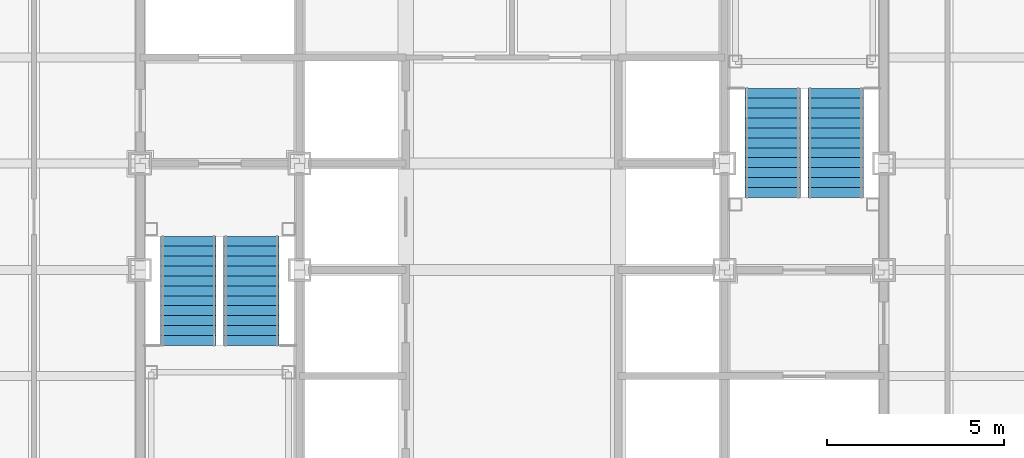
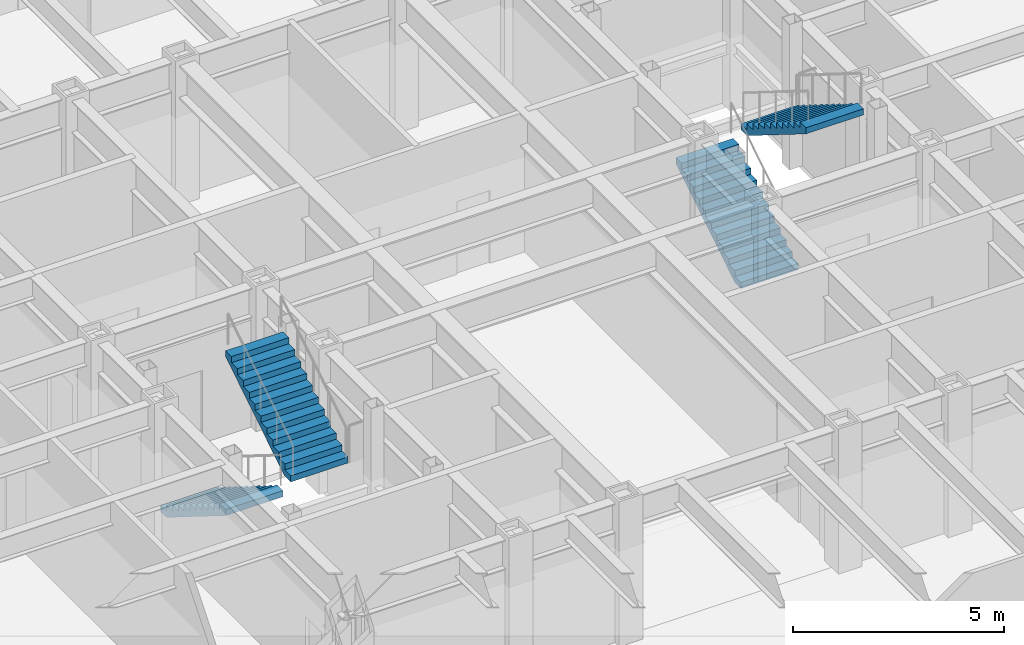
# One storey, part 13 of 15: 4 stair flights, 2 elements without a shape of their own.
"""IFC4 building model written with IfcOpenShell, lengths in metres."""

from ifc_helpers import new_model, si_unit, direction, frame, origin, place, context, subcontext, project, spatial, faceted_brep, material, type_object, element, aggregate, save


model = new_model("IFC4")

# Units and contexts
model_context = context("Model", 3, precision=1e-05, world=origin(), true_north=direction((0.0, 1.0)))
body_context = subcontext(model_context, "Body", "Model", "MODEL_VIEW")
ifc_project = project(units=[si_unit("LENGTHUNIT", "METRE"), si_unit("AREAUNIT", "SQUARE_METRE"), si_unit("VOLUMEUNIT", "CUBIC_METRE"), si_unit("PLANEANGLEUNIT", "RADIAN"), si_unit("MASSUNIT", "GRAM", prefix="KILO")], contexts=[model_context])

# Site, building, storey
site_placement = place(None, origin())
site = spatial("IfcSite", under=ifc_project, at=site_placement, CompositionType="ELEMENT")
building_placement = place(site_placement, origin())
building = spatial("IfcBuilding", under=site, at=building_placement, Name="Chuquiago Exchange Tower", CompositionType="ELEMENT")
storey_placement = place(building_placement, frame((0.0, 0.0, 192.89990234375)))
storey = spatial("IfcBuildingStorey", under=building, at=storey_placement, Name="L42", CompositionType="ELEMENT", Elevation=192.89990234375)

# Stair, stair flights
ifc_material_1 = material(Name="Concrete C30/37, precast", Category="concrete")
stair_type_1 = type_object("IfcStairType", Name="ST1 half-turn stair 4200", PredefinedType="HALF_TURN_STAIR", material=ifc_material_1)
stair_1_placement = place(storey_placement, origin())
stair_1 = element("IfcStair", 1, at=stair_1_placement, inside=storey, type_object=stair_type_1, Name="Stair ST1 L42", PredefinedType="HALF_TURN_STAIR")
ifc_material_2 = material(Name="Concrete C30/37, precast", Category="concrete")
stair_flight_type = type_object("IfcStairFlightType", Name="ST-F flight 1570 for 4200 storey", PredefinedType="STRAIGHT", material=ifc_material_2)
stair_flight_1_placement = place(storey_placement, frame((13.360107421875, 21.949951171875, 0.0), z_axis=(0.0, 0.0, 1.0), x_axis=(0.0, -1.0, 0.0)))
stair_flight_1 = element("IfcStairFlight", 2, at=stair_flight_1_placement, type_object=stair_flight_type, Name="ST1 flight 1", NumberOfRisers=12, NumberOfTreads=11, PredefinedType="STRAIGHT", RiserHeight=0.175, TreadLength=0.28, context=body_context, shape_type="Brep", body=[
    faceted_brep([(0.0, 0.78515625, 0.0), (0.0, 0.78515625, 0.175048828125), (0.280029296875, 0.78515625, 0.175048828125), (0.280029296875, 0.78515625, 0.35009765625), (0.56005859375, 0.78515625, 0.35009765625), (0.56005859375, 0.78515625, 0.52490234375), (0.840087890625, 0.78515625, 0.52490234375), (0.840087890625, 0.78515625, 0.699951171875), (1.1201171875, 0.78515625, 0.699951171875), (1.1201171875, 0.78515625, 0.875), (1.39990234375, 0.78515625, 0.875), (1.39990234375, 0.78515625, 1.050048828125), (1.679931640625, 0.78515625, 1.050048828125), (1.679931640625, 0.78515625, 1.22509765625), (1.9599609375, 0.78515625, 1.22509765625), (1.9599609375, 0.78515625, 1.39990234375), (2.239990234375, 0.78515625, 1.39990234375), (2.239990234375, 0.78515625, 1.574951171875), (2.52001953125, 0.78515625, 1.574951171875), (2.52001953125, 0.78515625, 1.75), (2.800048828125, 0.78515625, 1.75), (2.800048828125, 0.78515625, 1.925048828125), (3.080078125, 0.78515625, 1.925048828125), (3.080078125, 0.78515625, 1.748291015625), (0.28271484375, 0.78515625, 0.0), (0.28271484375, -0.78515625, 0.0), (3.080078125, -0.78515625, 1.748291015625), (3.080078125, -0.78515625, 1.925048828125), (2.800048828125, -0.78515625, 1.925048828125), (2.800048828125, -0.78515625, 1.75), (2.52001953125, -0.78515625, 1.75), (2.52001953125, -0.78515625, 1.574951171875), (2.239990234375, -0.78515625, 1.574951171875), (2.239990234375, -0.78515625, 1.39990234375), (1.9599609375, -0.78515625, 1.39990234375), (1.9599609375, -0.78515625, 1.22509765625), (1.679931640625, -0.78515625, 1.22509765625), (1.679931640625, -0.78515625, 1.050048828125), (1.39990234375, -0.78515625, 1.050048828125), (1.39990234375, -0.78515625, 0.875), (1.1201171875, -0.78515625, 0.875), (1.1201171875, -0.78515625, 0.699951171875), (0.840087890625, -0.78515625, 0.699951171875), (0.840087890625, -0.78515625, 0.52490234375), (0.56005859375, -0.78515625, 0.52490234375), (0.56005859375, -0.78515625, 0.35009765625), (0.280029296875, -0.78515625, 0.35009765625), (0.280029296875, -0.78515625, 0.175048828125), (0.0, -0.78515625, 0.175048828125), (0.0, -0.78515625, 0.0), (0.0, 0.392578125, 0.0), (0.0, 0.392578125, 0.175048828125), (0.0, 0.0, 0.0), (0.0, 0.0, 0.175048828125), (0.0, -0.392578125, 0.0), (0.0, -0.392578125, 0.175048828125), (0.280029296875, 0.392578125, 0.175048828125), (0.280029296875, 0.0, 0.175048828125), (0.280029296875, -0.392578125, 0.175048828125), (0.280029296875, 0.392578125, 0.35009765625), (0.280029296875, 0.0, 0.35009765625), (0.280029296875, -0.392578125, 0.35009765625), (0.56005859375, 0.392578125, 0.35009765625), (0.56005859375, 0.0, 0.35009765625), (0.56005859375, -0.392578125, 0.35009765625), (0.56005859375, 0.392578125, 0.52490234375), (0.56005859375, 0.0, 0.52490234375), (0.56005859375, -0.392578125, 0.52490234375), (0.840087890625, 0.392578125, 0.52490234375), (0.840087890625, 0.0, 0.52490234375), (0.840087890625, -0.392578125, 0.52490234375), (0.840087890625, 0.392578125, 0.699951171875), (0.840087890625, 0.0, 0.699951171875), (0.840087890625, -0.392578125, 0.699951171875), (1.1201171875, 0.392578125, 0.699951171875), (1.1201171875, 0.0, 0.699951171875), (1.1201171875, -0.392578125, 0.699951171875), (1.1201171875, 0.392578125, 0.875), (1.1201171875, 0.0, 0.875), (1.1201171875, -0.392578125, 0.875), (1.39990234375, 0.392578125, 0.875), (1.39990234375, 0.0, 0.875), (1.39990234375, -0.392578125, 0.875), (1.39990234375, 0.392578125, 1.050048828125), (1.39990234375, 0.0, 1.050048828125), (1.39990234375, -0.392578125, 1.050048828125), (1.679931640625, 0.392578125, 1.050048828125), (1.679931640625, 0.0, 1.050048828125), (1.679931640625, -0.392578125, 1.050048828125), (1.679931640625, 0.392578125, 1.22509765625), (1.679931640625, 0.0, 1.22509765625), (1.679931640625, -0.392578125, 1.22509765625), (1.9599609375, 0.392578125, 1.22509765625), (1.9599609375, 0.0, 1.22509765625), (1.9599609375, -0.392578125, 1.22509765625), (1.9599609375, 0.392578125, 1.39990234375), (1.9599609375, 0.0, 1.39990234375), (1.9599609375, -0.392578125, 1.39990234375), (2.239990234375, 0.392578125, 1.39990234375), (2.239990234375, 0.0, 1.39990234375), (2.239990234375, -0.392578125, 1.39990234375), (2.239990234375, 0.392578125, 1.574951171875), (2.239990234375, 0.0, 1.574951171875), (2.239990234375, -0.392578125, 1.574951171875), (2.52001953125, 0.392578125, 1.574951171875), (2.52001953125, 0.0, 1.574951171875), (2.52001953125, -0.392578125, 1.574951171875), (2.52001953125, 0.392578125, 1.75), (2.52001953125, 0.0, 1.75), (2.52001953125, -0.392578125, 1.75), (2.800048828125, 0.392578125, 1.75), (2.800048828125, 0.0, 1.75), (2.800048828125, -0.392578125, 1.75), (2.800048828125, 0.392578125, 1.925048828125), (2.800048828125, 0.0, 1.925048828125), (2.800048828125, -0.392578125, 1.925048828125), (3.080078125, 0.392578125, 1.925048828125), (3.080078125, 0.0, 1.925048828125), (3.080078125, -0.392578125, 1.925048828125), (3.080078125, 0.392578125, 1.748291015625), (3.080078125, 0.0, 1.748291015625), (3.080078125, -0.392578125, 1.748291015625), (0.28271484375, 0.392578125, 0.0), (0.28271484375, 0.0, 0.0), (0.28271484375, -0.392578125, 0.0)], [[[0, 1, 2, 3, 4, 5, 6, 7, 8, 9, 10, 11, 12, 13, 14, 15, 16, 17, 18, 19, 20, 21, 22, 23, 24]], [[25, 26, 27, 28, 29, 30, 31, 32, 33, 34, 35, 36, 37, 38, 39, 40, 41, 42, 43, 44, 45, 46, 47, 48, 49]], [[1, 0, 50, 51]], [[51, 50, 52, 53]], [[53, 52, 54, 55]], [[55, 54, 49, 48]], [[2, 1, 51, 56]], [[56, 51, 53, 57]], [[57, 53, 55, 58]], [[58, 55, 48, 47]], [[3, 2, 56, 59]], [[59, 56, 57, 60]], [[60, 57, 58, 61]], [[61, 58, 47, 46]], [[4, 3, 59, 62]], [[62, 59, 60, 63]], [[63, 60, 61, 64]], [[64, 61, 46, 45]], [[5, 4, 62, 65]], [[65, 62, 63, 66]], [[66, 63, 64, 67]], [[67, 64, 45, 44]], [[6, 5, 65, 68]], [[68, 65, 66, 69]], [[69, 66, 67, 70]], [[70, 67, 44, 43]], [[7, 6, 68, 71]], [[71, 68, 69, 72]], [[72, 69, 70, 73]], [[73, 70, 43, 42]], [[8, 7, 71, 74]], [[74, 71, 72, 75]], [[75, 72, 73, 76]], [[76, 73, 42, 41]], [[9, 8, 74, 77]], [[77, 74, 75, 78]], [[78, 75, 76, 79]], [[79, 76, 41, 40]], [[10, 9, 77, 80]], [[80, 77, 78, 81]], [[81, 78, 79, 82]], [[82, 79, 40, 39]], [[11, 10, 80, 83]], [[83, 80, 81, 84]], [[84, 81, 82, 85]], [[85, 82, 39, 38]], [[12, 11, 83, 86]], [[86, 83, 84, 87]], [[87, 84, 85, 88]], [[88, 85, 38, 37]], [[13, 12, 86, 89]], [[89, 86, 87, 90]], [[90, 87, 88, 91]], [[91, 88, 37, 36]], [[14, 13, 89, 92]], [[92, 89, 90, 93]], [[93, 90, 91, 94]], [[94, 91, 36, 35]], [[15, 14, 92, 95]], [[95, 92, 93, 96]], [[96, 93, 94, 97]], [[97, 94, 35, 34]], [[16, 15, 95, 98]], [[98, 95, 96, 99]], [[99, 96, 97, 100]], [[100, 97, 34, 33]], [[17, 16, 98, 101]], [[101, 98, 99, 102]], [[102, 99, 100, 103]], [[103, 100, 33, 32]], [[18, 17, 101, 104]], [[104, 101, 102, 105]], [[105, 102, 103, 106]], [[106, 103, 32, 31]], [[19, 18, 104, 107]], [[107, 104, 105, 108]], [[108, 105, 106, 109]], [[109, 106, 31, 30]], [[20, 19, 107, 110]], [[110, 107, 108, 111]], [[111, 108, 109, 112]], [[112, 109, 30, 29]], [[21, 20, 110, 113]], [[113, 110, 111, 114]], [[114, 111, 112, 115]], [[115, 112, 29, 28]], [[22, 21, 113, 116]], [[116, 113, 114, 117]], [[117, 114, 115, 118]], [[118, 115, 28, 27]], [[23, 22, 116, 119]], [[119, 116, 117, 120]], [[120, 117, 118, 121]], [[121, 118, 27, 26]], [[24, 23, 119, 122]], [[122, 119, 120, 123]], [[123, 120, 121, 124]], [[124, 121, 26, 25]], [[0, 24, 122, 50]], [[50, 122, 123, 52]], [[52, 123, 124, 54]], [[54, 124, 25, 49]]]),
])
stair_flight_2_placement = place(storey_placement, frame((15.139892578125, 18.8701171875, 2.10009765625), z_axis=(0.0, 0.0, 1.0), x_axis=(0.0, 1.0, 0.0)))
stair_flight_2 = element("IfcStairFlight", 3, at=stair_flight_2_placement, type_object=stair_flight_type, Name="ST1 flight 2", NumberOfRisers=12, NumberOfTreads=11, PredefinedType="STRAIGHT", RiserHeight=0.175, TreadLength=0.28, context=body_context, shape_type="Brep", body=[
    faceted_brep([(0.0, 0.78515625, 0.0), (0.0, 0.78515625, 0.175048828125), (0.280029296875, 0.78515625, 0.175048828125), (0.280029296875, 0.78515625, 0.35009765625), (0.56005859375, 0.78515625, 0.35009765625), (0.56005859375, 0.78515625, 0.52490234375), (0.840087890625, 0.78515625, 0.52490234375), (0.840087890625, 0.78515625, 0.699951171875), (1.1201171875, 0.78515625, 0.699951171875), (1.1201171875, 0.78515625, 0.875), (1.39990234375, 0.78515625, 0.875), (1.39990234375, 0.78515625, 1.050048828125), (1.679931640625, 0.78515625, 1.050048828125), (1.679931640625, 0.78515625, 1.22509765625), (1.9599609375, 0.78515625, 1.22509765625), (1.9599609375, 0.78515625, 1.39990234375), (2.239990234375, 0.78515625, 1.39990234375), (2.239990234375, 0.78515625, 1.574951171875), (2.52001953125, 0.78515625, 1.574951171875), (2.52001953125, 0.78515625, 1.75), (2.800048828125, 0.78515625, 1.75), (2.800048828125, 0.78515625, 1.925048828125), (3.080078125, 0.78515625, 1.925048828125), (3.080078125, 0.78515625, 1.748291015625), (0.28271484375, 0.78515625, 0.0), (0.28271484375, -0.78515625, 0.0), (3.080078125, -0.78515625, 1.748291015625), (3.080078125, -0.78515625, 1.925048828125), (2.800048828125, -0.78515625, 1.925048828125), (2.800048828125, -0.78515625, 1.75), (2.52001953125, -0.78515625, 1.75), (2.52001953125, -0.78515625, 1.574951171875), (2.239990234375, -0.78515625, 1.574951171875), (2.239990234375, -0.78515625, 1.39990234375), (1.9599609375, -0.78515625, 1.39990234375), (1.9599609375, -0.78515625, 1.22509765625), (1.679931640625, -0.78515625, 1.22509765625), (1.679931640625, -0.78515625, 1.050048828125), (1.39990234375, -0.78515625, 1.050048828125), (1.39990234375, -0.78515625, 0.875), (1.1201171875, -0.78515625, 0.875), (1.1201171875, -0.78515625, 0.699951171875), (0.840087890625, -0.78515625, 0.699951171875), (0.840087890625, -0.78515625, 0.52490234375), (0.56005859375, -0.78515625, 0.52490234375), (0.56005859375, -0.78515625, 0.35009765625), (0.280029296875, -0.78515625, 0.35009765625), (0.280029296875, -0.78515625, 0.175048828125), (0.0, -0.78515625, 0.175048828125), (0.0, -0.78515625, 0.0), (0.0, 0.392578125, 0.0), (0.0, 0.392578125, 0.175048828125), (0.0, 0.0, 0.0), (0.0, 0.0, 0.175048828125), (0.0, -0.392578125, 0.0), (0.0, -0.392578125, 0.175048828125), (0.280029296875, 0.392578125, 0.175048828125), (0.280029296875, 0.0, 0.175048828125), (0.280029296875, -0.392578125, 0.175048828125), (0.280029296875, 0.392578125, 0.35009765625), (0.280029296875, 0.0, 0.35009765625), (0.280029296875, -0.392578125, 0.35009765625), (0.56005859375, 0.392578125, 0.35009765625), (0.56005859375, 0.0, 0.35009765625), (0.56005859375, -0.392578125, 0.35009765625), (0.56005859375, 0.392578125, 0.52490234375), (0.56005859375, 0.0, 0.52490234375), (0.56005859375, -0.392578125, 0.52490234375), (0.840087890625, 0.392578125, 0.52490234375), (0.840087890625, 0.0, 0.52490234375), (0.840087890625, -0.392578125, 0.52490234375), (0.840087890625, 0.392578125, 0.699951171875), (0.840087890625, 0.0, 0.699951171875), (0.840087890625, -0.392578125, 0.699951171875), (1.1201171875, 0.392578125, 0.699951171875), (1.1201171875, 0.0, 0.699951171875), (1.1201171875, -0.392578125, 0.699951171875), (1.1201171875, 0.392578125, 0.875), (1.1201171875, 0.0, 0.875), (1.1201171875, -0.392578125, 0.875), (1.39990234375, 0.392578125, 0.875), (1.39990234375, 0.0, 0.875), (1.39990234375, -0.392578125, 0.875), (1.39990234375, 0.392578125, 1.050048828125), (1.39990234375, 0.0, 1.050048828125), (1.39990234375, -0.392578125, 1.050048828125), (1.679931640625, 0.392578125, 1.050048828125), (1.679931640625, 0.0, 1.050048828125), (1.679931640625, -0.392578125, 1.050048828125), (1.679931640625, 0.392578125, 1.22509765625), (1.679931640625, 0.0, 1.22509765625), (1.679931640625, -0.392578125, 1.22509765625), (1.9599609375, 0.392578125, 1.22509765625), (1.9599609375, 0.0, 1.22509765625), (1.9599609375, -0.392578125, 1.22509765625), (1.9599609375, 0.392578125, 1.39990234375), (1.9599609375, 0.0, 1.39990234375), (1.9599609375, -0.392578125, 1.39990234375), (2.239990234375, 0.392578125, 1.39990234375), (2.239990234375, 0.0, 1.39990234375), (2.239990234375, -0.392578125, 1.39990234375), (2.239990234375, 0.392578125, 1.574951171875), (2.239990234375, 0.0, 1.574951171875), (2.239990234375, -0.392578125, 1.574951171875), (2.52001953125, 0.392578125, 1.574951171875), (2.52001953125, 0.0, 1.574951171875), (2.52001953125, -0.392578125, 1.574951171875), (2.52001953125, 0.392578125, 1.75), (2.52001953125, 0.0, 1.75), (2.52001953125, -0.392578125, 1.75), (2.800048828125, 0.392578125, 1.75), (2.800048828125, 0.0, 1.75), (2.800048828125, -0.392578125, 1.75), (2.800048828125, 0.392578125, 1.925048828125), (2.800048828125, 0.0, 1.925048828125), (2.800048828125, -0.392578125, 1.925048828125), (3.080078125, 0.392578125, 1.925048828125), (3.080078125, 0.0, 1.925048828125), (3.080078125, -0.392578125, 1.925048828125), (3.080078125, 0.392578125, 1.748291015625), (3.080078125, 0.0, 1.748291015625), (3.080078125, -0.392578125, 1.748291015625), (0.28271484375, 0.392578125, 0.0), (0.28271484375, 0.0, 0.0), (0.28271484375, -0.392578125, 0.0)], [[[0, 1, 2, 3, 4, 5, 6, 7, 8, 9, 10, 11, 12, 13, 14, 15, 16, 17, 18, 19, 20, 21, 22, 23, 24]], [[25, 26, 27, 28, 29, 30, 31, 32, 33, 34, 35, 36, 37, 38, 39, 40, 41, 42, 43, 44, 45, 46, 47, 48, 49]], [[1, 0, 50, 51]], [[51, 50, 52, 53]], [[53, 52, 54, 55]], [[55, 54, 49, 48]], [[2, 1, 51, 56]], [[56, 51, 53, 57]], [[57, 53, 55, 58]], [[58, 55, 48, 47]], [[3, 2, 56, 59]], [[59, 56, 57, 60]], [[60, 57, 58, 61]], [[61, 58, 47, 46]], [[4, 3, 59, 62]], [[62, 59, 60, 63]], [[63, 60, 61, 64]], [[64, 61, 46, 45]], [[5, 4, 62, 65]], [[65, 62, 63, 66]], [[66, 63, 64, 67]], [[67, 64, 45, 44]], [[6, 5, 65, 68]], [[68, 65, 66, 69]], [[69, 66, 67, 70]], [[70, 67, 44, 43]], [[7, 6, 68, 71]], [[71, 68, 69, 72]], [[72, 69, 70, 73]], [[73, 70, 43, 42]], [[8, 7, 71, 74]], [[74, 71, 72, 75]], [[75, 72, 73, 76]], [[76, 73, 42, 41]], [[9, 8, 74, 77]], [[77, 74, 75, 78]], [[78, 75, 76, 79]], [[79, 76, 41, 40]], [[10, 9, 77, 80]], [[80, 77, 78, 81]], [[81, 78, 79, 82]], [[82, 79, 40, 39]], [[11, 10, 80, 83]], [[83, 80, 81, 84]], [[84, 81, 82, 85]], [[85, 82, 39, 38]], [[12, 11, 83, 86]], [[86, 83, 84, 87]], [[87, 84, 85, 88]], [[88, 85, 38, 37]], [[13, 12, 86, 89]], [[89, 86, 87, 90]], [[90, 87, 88, 91]], [[91, 88, 37, 36]], [[14, 13, 89, 92]], [[92, 89, 90, 93]], [[93, 90, 91, 94]], [[94, 91, 36, 35]], [[15, 14, 92, 95]], [[95, 92, 93, 96]], [[96, 93, 94, 97]], [[97, 94, 35, 34]], [[16, 15, 95, 98]], [[98, 95, 96, 99]], [[99, 96, 97, 100]], [[100, 97, 34, 33]], [[17, 16, 98, 101]], [[101, 98, 99, 102]], [[102, 99, 100, 103]], [[103, 100, 33, 32]], [[18, 17, 101, 104]], [[104, 101, 102, 105]], [[105, 102, 103, 106]], [[106, 103, 32, 31]], [[19, 18, 104, 107]], [[107, 104, 105, 108]], [[108, 105, 106, 109]], [[109, 106, 31, 30]], [[20, 19, 107, 110]], [[110, 107, 108, 111]], [[111, 108, 109, 112]], [[112, 109, 30, 29]], [[21, 20, 110, 113]], [[113, 110, 111, 114]], [[114, 111, 112, 115]], [[115, 112, 29, 28]], [[22, 21, 113, 116]], [[116, 113, 114, 117]], [[117, 114, 115, 118]], [[118, 115, 28, 27]], [[23, 22, 116, 119]], [[119, 116, 117, 120]], [[120, 117, 118, 121]], [[121, 118, 27, 26]], [[24, 23, 119, 122]], [[122, 119, 120, 123]], [[123, 120, 121, 124]], [[124, 121, 26, 25]], [[0, 24, 122, 50]], [[50, 122, 123, 52]], [[52, 123, 124, 54]], [[54, 124, 25, 49]]]),
])
aggregate(stair_1, [stair_flight_1, stair_flight_2])

ifc_material_3 = material(Name="Concrete C30/37, precast", Category="concrete")
stair_type_2 = type_object("IfcStairType", Name="ST2 half-turn stair 4200", PredefinedType="HALF_TURN_STAIR", material=ifc_material_3)
stair_2_placement = place(storey_placement, origin())
stair_2 = element("IfcStair", 4, at=stair_2_placement, inside=storey, type_object=stair_type_2, Name="Stair ST2 L42", PredefinedType="HALF_TURN_STAIR")
stair_flight_3_placement = place(storey_placement, frame((29.860107421875, 23.050048828125, 0.0), z_axis=(0.0, 0.0, 1.0), x_axis=(0.0, 1.0, 0.0)))
stair_flight_3 = element("IfcStairFlight", 5, at=stair_flight_3_placement, type_object=stair_flight_type, Name="ST2 flight 1", NumberOfRisers=12, NumberOfTreads=11, PredefinedType="STRAIGHT", RiserHeight=0.175, TreadLength=0.28, context=body_context, shape_type="Brep", body=[
    faceted_brep([(0.0, 0.78515625, 0.0), (0.0, 0.78515625, 0.175048828125), (0.280029296875, 0.78515625, 0.175048828125), (0.280029296875, 0.78515625, 0.35009765625), (0.56005859375, 0.78515625, 0.35009765625), (0.56005859375, 0.78515625, 0.52490234375), (0.840087890625, 0.78515625, 0.52490234375), (0.840087890625, 0.78515625, 0.699951171875), (1.1201171875, 0.78515625, 0.699951171875), (1.1201171875, 0.78515625, 0.875), (1.39990234375, 0.78515625, 0.875), (1.39990234375, 0.78515625, 1.050048828125), (1.679931640625, 0.78515625, 1.050048828125), (1.679931640625, 0.78515625, 1.22509765625), (1.9599609375, 0.78515625, 1.22509765625), (1.9599609375, 0.78515625, 1.39990234375), (2.239990234375, 0.78515625, 1.39990234375), (2.239990234375, 0.78515625, 1.574951171875), (2.52001953125, 0.78515625, 1.574951171875), (2.52001953125, 0.78515625, 1.75), (2.800048828125, 0.78515625, 1.75), (2.800048828125, 0.78515625, 1.925048828125), (3.080078125, 0.78515625, 1.925048828125), (3.080078125, 0.78515625, 1.748291015625), (0.28271484375, 0.78515625, 0.0), (0.28271484375, -0.78515625, 0.0), (3.080078125, -0.78515625, 1.748291015625), (3.080078125, -0.78515625, 1.925048828125), (2.800048828125, -0.78515625, 1.925048828125), (2.800048828125, -0.78515625, 1.75), (2.52001953125, -0.78515625, 1.75), (2.52001953125, -0.78515625, 1.574951171875), (2.239990234375, -0.78515625, 1.574951171875), (2.239990234375, -0.78515625, 1.39990234375), (1.9599609375, -0.78515625, 1.39990234375), (1.9599609375, -0.78515625, 1.22509765625), (1.679931640625, -0.78515625, 1.22509765625), (1.679931640625, -0.78515625, 1.050048828125), (1.39990234375, -0.78515625, 1.050048828125), (1.39990234375, -0.78515625, 0.875), (1.1201171875, -0.78515625, 0.875), (1.1201171875, -0.78515625, 0.699951171875), (0.840087890625, -0.78515625, 0.699951171875), (0.840087890625, -0.78515625, 0.52490234375), (0.56005859375, -0.78515625, 0.52490234375), (0.56005859375, -0.78515625, 0.35009765625), (0.280029296875, -0.78515625, 0.35009765625), (0.280029296875, -0.78515625, 0.175048828125), (0.0, -0.78515625, 0.175048828125), (0.0, -0.78515625, 0.0), (0.0, 0.392578125, 0.0), (0.0, 0.392578125, 0.175048828125), (0.0, 0.0, 0.0), (0.0, 0.0, 0.175048828125), (0.0, -0.392578125, 0.0), (0.0, -0.392578125, 0.175048828125), (0.280029296875, 0.392578125, 0.175048828125), (0.280029296875, 0.0, 0.175048828125), (0.280029296875, -0.392578125, 0.175048828125), (0.280029296875, 0.392578125, 0.35009765625), (0.280029296875, 0.0, 0.35009765625), (0.280029296875, -0.392578125, 0.35009765625), (0.56005859375, 0.392578125, 0.35009765625), (0.56005859375, 0.0, 0.35009765625), (0.56005859375, -0.392578125, 0.35009765625), (0.56005859375, 0.392578125, 0.52490234375), (0.56005859375, 0.0, 0.52490234375), (0.56005859375, -0.392578125, 0.52490234375), (0.840087890625, 0.392578125, 0.52490234375), (0.840087890625, 0.0, 0.52490234375), (0.840087890625, -0.392578125, 0.52490234375), (0.840087890625, 0.392578125, 0.699951171875), (0.840087890625, 0.0, 0.699951171875), (0.840087890625, -0.392578125, 0.699951171875), (1.1201171875, 0.392578125, 0.699951171875), (1.1201171875, 0.0, 0.699951171875), (1.1201171875, -0.392578125, 0.699951171875), (1.1201171875, 0.392578125, 0.875), (1.1201171875, 0.0, 0.875), (1.1201171875, -0.392578125, 0.875), (1.39990234375, 0.392578125, 0.875), (1.39990234375, 0.0, 0.875), (1.39990234375, -0.392578125, 0.875), (1.39990234375, 0.392578125, 1.050048828125), (1.39990234375, 0.0, 1.050048828125), (1.39990234375, -0.392578125, 1.050048828125), (1.679931640625, 0.392578125, 1.050048828125), (1.679931640625, 0.0, 1.050048828125), (1.679931640625, -0.392578125, 1.050048828125), (1.679931640625, 0.392578125, 1.22509765625), (1.679931640625, 0.0, 1.22509765625), (1.679931640625, -0.392578125, 1.22509765625), (1.9599609375, 0.392578125, 1.22509765625), (1.9599609375, 0.0, 1.22509765625), (1.9599609375, -0.392578125, 1.22509765625), (1.9599609375, 0.392578125, 1.39990234375), (1.9599609375, 0.0, 1.39990234375), (1.9599609375, -0.392578125, 1.39990234375), (2.239990234375, 0.392578125, 1.39990234375), (2.239990234375, 0.0, 1.39990234375), (2.239990234375, -0.392578125, 1.39990234375), (2.239990234375, 0.392578125, 1.574951171875), (2.239990234375, 0.0, 1.574951171875), (2.239990234375, -0.392578125, 1.574951171875), (2.52001953125, 0.392578125, 1.574951171875), (2.52001953125, 0.0, 1.574951171875), (2.52001953125, -0.392578125, 1.574951171875), (2.52001953125, 0.392578125, 1.75), (2.52001953125, 0.0, 1.75), (2.52001953125, -0.392578125, 1.75), (2.800048828125, 0.392578125, 1.75), (2.800048828125, 0.0, 1.75), (2.800048828125, -0.392578125, 1.75), (2.800048828125, 0.392578125, 1.925048828125), (2.800048828125, 0.0, 1.925048828125), (2.800048828125, -0.392578125, 1.925048828125), (3.080078125, 0.392578125, 1.925048828125), (3.080078125, 0.0, 1.925048828125), (3.080078125, -0.392578125, 1.925048828125), (3.080078125, 0.392578125, 1.748291015625), (3.080078125, 0.0, 1.748291015625), (3.080078125, -0.392578125, 1.748291015625), (0.28271484375, 0.392578125, 0.0), (0.28271484375, 0.0, 0.0), (0.28271484375, -0.392578125, 0.0)], [[[0, 1, 2, 3, 4, 5, 6, 7, 8, 9, 10, 11, 12, 13, 14, 15, 16, 17, 18, 19, 20, 21, 22, 23, 24]], [[25, 26, 27, 28, 29, 30, 31, 32, 33, 34, 35, 36, 37, 38, 39, 40, 41, 42, 43, 44, 45, 46, 47, 48, 49]], [[1, 0, 50, 51]], [[51, 50, 52, 53]], [[53, 52, 54, 55]], [[55, 54, 49, 48]], [[2, 1, 51, 56]], [[56, 51, 53, 57]], [[57, 53, 55, 58]], [[58, 55, 48, 47]], [[3, 2, 56, 59]], [[59, 56, 57, 60]], [[60, 57, 58, 61]], [[61, 58, 47, 46]], [[4, 3, 59, 62]], [[62, 59, 60, 63]], [[63, 60, 61, 64]], [[64, 61, 46, 45]], [[5, 4, 62, 65]], [[65, 62, 63, 66]], [[66, 63, 64, 67]], [[67, 64, 45, 44]], [[6, 5, 65, 68]], [[68, 65, 66, 69]], [[69, 66, 67, 70]], [[70, 67, 44, 43]], [[7, 6, 68, 71]], [[71, 68, 69, 72]], [[72, 69, 70, 73]], [[73, 70, 43, 42]], [[8, 7, 71, 74]], [[74, 71, 72, 75]], [[75, 72, 73, 76]], [[76, 73, 42, 41]], [[9, 8, 74, 77]], [[77, 74, 75, 78]], [[78, 75, 76, 79]], [[79, 76, 41, 40]], [[10, 9, 77, 80]], [[80, 77, 78, 81]], [[81, 78, 79, 82]], [[82, 79, 40, 39]], [[11, 10, 80, 83]], [[83, 80, 81, 84]], [[84, 81, 82, 85]], [[85, 82, 39, 38]], [[12, 11, 83, 86]], [[86, 83, 84, 87]], [[87, 84, 85, 88]], [[88, 85, 38, 37]], [[13, 12, 86, 89]], [[89, 86, 87, 90]], [[90, 87, 88, 91]], [[91, 88, 37, 36]], [[14, 13, 89, 92]], [[92, 89, 90, 93]], [[93, 90, 91, 94]], [[94, 91, 36, 35]], [[15, 14, 92, 95]], [[95, 92, 93, 96]], [[96, 93, 94, 97]], [[97, 94, 35, 34]], [[16, 15, 95, 98]], [[98, 95, 96, 99]], [[99, 96, 97, 100]], [[100, 97, 34, 33]], [[17, 16, 98, 101]], [[101, 98, 99, 102]], [[102, 99, 100, 103]], [[103, 100, 33, 32]], [[18, 17, 101, 104]], [[104, 101, 102, 105]], [[105, 102, 103, 106]], [[106, 103, 32, 31]], [[19, 18, 104, 107]], [[107, 104, 105, 108]], [[108, 105, 106, 109]], [[109, 106, 31, 30]], [[20, 19, 107, 110]], [[110, 107, 108, 111]], [[111, 108, 109, 112]], [[112, 109, 30, 29]], [[21, 20, 110, 113]], [[113, 110, 111, 114]], [[114, 111, 112, 115]], [[115, 112, 29, 28]], [[22, 21, 113, 116]], [[116, 113, 114, 117]], [[117, 114, 115, 118]], [[118, 115, 28, 27]], [[23, 22, 116, 119]], [[119, 116, 117, 120]], [[120, 117, 118, 121]], [[121, 118, 27, 26]], [[24, 23, 119, 122]], [[122, 119, 120, 123]], [[123, 120, 121, 124]], [[124, 121, 26, 25]], [[0, 24, 122, 50]], [[50, 122, 123, 52]], [[52, 123, 124, 54]], [[54, 124, 25, 49]]]),
])
stair_flight_4_placement = place(storey_placement, frame((31.639892578125, 26.1298828125, 2.10009765625), z_axis=(0.0, 0.0, 1.0), x_axis=(0.0, -1.0, 0.0)))
stair_flight_4 = element("IfcStairFlight", 6, at=stair_flight_4_placement, type_object=stair_flight_type, Name="ST2 flight 2", NumberOfRisers=12, NumberOfTreads=11, PredefinedType="STRAIGHT", RiserHeight=0.175, TreadLength=0.28, context=body_context, shape_type="Brep", body=[
    faceted_brep([(0.0, 0.78515625, 0.0), (0.0, 0.78515625, 0.175048828125), (0.280029296875, 0.78515625, 0.175048828125), (0.280029296875, 0.78515625, 0.35009765625), (0.56005859375, 0.78515625, 0.35009765625), (0.56005859375, 0.78515625, 0.52490234375), (0.840087890625, 0.78515625, 0.52490234375), (0.840087890625, 0.78515625, 0.699951171875), (1.1201171875, 0.78515625, 0.699951171875), (1.1201171875, 0.78515625, 0.875), (1.39990234375, 0.78515625, 0.875), (1.39990234375, 0.78515625, 1.050048828125), (1.679931640625, 0.78515625, 1.050048828125), (1.679931640625, 0.78515625, 1.22509765625), (1.9599609375, 0.78515625, 1.22509765625), (1.9599609375, 0.78515625, 1.39990234375), (2.239990234375, 0.78515625, 1.39990234375), (2.239990234375, 0.78515625, 1.574951171875), (2.52001953125, 0.78515625, 1.574951171875), (2.52001953125, 0.78515625, 1.75), (2.800048828125, 0.78515625, 1.75), (2.800048828125, 0.78515625, 1.925048828125), (3.080078125, 0.78515625, 1.925048828125), (3.080078125, 0.78515625, 1.748291015625), (0.28271484375, 0.78515625, 0.0), (0.28271484375, -0.78515625, 0.0), (3.080078125, -0.78515625, 1.748291015625), (3.080078125, -0.78515625, 1.925048828125), (2.800048828125, -0.78515625, 1.925048828125), (2.800048828125, -0.78515625, 1.75), (2.52001953125, -0.78515625, 1.75), (2.52001953125, -0.78515625, 1.574951171875), (2.239990234375, -0.78515625, 1.574951171875), (2.239990234375, -0.78515625, 1.39990234375), (1.9599609375, -0.78515625, 1.39990234375), (1.9599609375, -0.78515625, 1.22509765625), (1.679931640625, -0.78515625, 1.22509765625), (1.679931640625, -0.78515625, 1.050048828125), (1.39990234375, -0.78515625, 1.050048828125), (1.39990234375, -0.78515625, 0.875), (1.1201171875, -0.78515625, 0.875), (1.1201171875, -0.78515625, 0.699951171875), (0.840087890625, -0.78515625, 0.699951171875), (0.840087890625, -0.78515625, 0.52490234375), (0.56005859375, -0.78515625, 0.52490234375), (0.56005859375, -0.78515625, 0.35009765625), (0.280029296875, -0.78515625, 0.35009765625), (0.280029296875, -0.78515625, 0.175048828125), (0.0, -0.78515625, 0.175048828125), (0.0, -0.78515625, 0.0), (0.0, 0.392578125, 0.0), (0.0, 0.392578125, 0.175048828125), (0.0, 0.0, 0.0), (0.0, 0.0, 0.175048828125), (0.0, -0.392578125, 0.0), (0.0, -0.392578125, 0.175048828125), (0.280029296875, 0.392578125, 0.175048828125), (0.280029296875, 0.0, 0.175048828125), (0.280029296875, -0.392578125, 0.175048828125), (0.280029296875, 0.392578125, 0.35009765625), (0.280029296875, 0.0, 0.35009765625), (0.280029296875, -0.392578125, 0.35009765625), (0.56005859375, 0.392578125, 0.35009765625), (0.56005859375, 0.0, 0.35009765625), (0.56005859375, -0.392578125, 0.35009765625), (0.56005859375, 0.392578125, 0.52490234375), (0.56005859375, 0.0, 0.52490234375), (0.56005859375, -0.392578125, 0.52490234375), (0.840087890625, 0.392578125, 0.52490234375), (0.840087890625, 0.0, 0.52490234375), (0.840087890625, -0.392578125, 0.52490234375), (0.840087890625, 0.392578125, 0.699951171875), (0.840087890625, 0.0, 0.699951171875), (0.840087890625, -0.392578125, 0.699951171875), (1.1201171875, 0.392578125, 0.699951171875), (1.1201171875, 0.0, 0.699951171875), (1.1201171875, -0.392578125, 0.699951171875), (1.1201171875, 0.392578125, 0.875), (1.1201171875, 0.0, 0.875), (1.1201171875, -0.392578125, 0.875), (1.39990234375, 0.392578125, 0.875), (1.39990234375, 0.0, 0.875), (1.39990234375, -0.392578125, 0.875), (1.39990234375, 0.392578125, 1.050048828125), (1.39990234375, 0.0, 1.050048828125), (1.39990234375, -0.392578125, 1.050048828125), (1.679931640625, 0.392578125, 1.050048828125), (1.679931640625, 0.0, 1.050048828125), (1.679931640625, -0.392578125, 1.050048828125), (1.679931640625, 0.392578125, 1.22509765625), (1.679931640625, 0.0, 1.22509765625), (1.679931640625, -0.392578125, 1.22509765625), (1.9599609375, 0.392578125, 1.22509765625), (1.9599609375, 0.0, 1.22509765625), (1.9599609375, -0.392578125, 1.22509765625), (1.9599609375, 0.392578125, 1.39990234375), (1.9599609375, 0.0, 1.39990234375), (1.9599609375, -0.392578125, 1.39990234375), (2.239990234375, 0.392578125, 1.39990234375), (2.239990234375, 0.0, 1.39990234375), (2.239990234375, -0.392578125, 1.39990234375), (2.239990234375, 0.392578125, 1.574951171875), (2.239990234375, 0.0, 1.574951171875), (2.239990234375, -0.392578125, 1.574951171875), (2.52001953125, 0.392578125, 1.574951171875), (2.52001953125, 0.0, 1.574951171875), (2.52001953125, -0.392578125, 1.574951171875), (2.52001953125, 0.392578125, 1.75), (2.52001953125, 0.0, 1.75), (2.52001953125, -0.392578125, 1.75), (2.800048828125, 0.392578125, 1.75), (2.800048828125, 0.0, 1.75), (2.800048828125, -0.392578125, 1.75), (2.800048828125, 0.392578125, 1.925048828125), (2.800048828125, 0.0, 1.925048828125), (2.800048828125, -0.392578125, 1.925048828125), (3.080078125, 0.392578125, 1.925048828125), (3.080078125, 0.0, 1.925048828125), (3.080078125, -0.392578125, 1.925048828125), (3.080078125, 0.392578125, 1.748291015625), (3.080078125, 0.0, 1.748291015625), (3.080078125, -0.392578125, 1.748291015625), (0.28271484375, 0.392578125, 0.0), (0.28271484375, 0.0, 0.0), (0.28271484375, -0.392578125, 0.0)], [[[0, 1, 2, 3, 4, 5, 6, 7, 8, 9, 10, 11, 12, 13, 14, 15, 16, 17, 18, 19, 20, 21, 22, 23, 24]], [[25, 26, 27, 28, 29, 30, 31, 32, 33, 34, 35, 36, 37, 38, 39, 40, 41, 42, 43, 44, 45, 46, 47, 48, 49]], [[1, 0, 50, 51]], [[51, 50, 52, 53]], [[53, 52, 54, 55]], [[55, 54, 49, 48]], [[2, 1, 51, 56]], [[56, 51, 53, 57]], [[57, 53, 55, 58]], [[58, 55, 48, 47]], [[3, 2, 56, 59]], [[59, 56, 57, 60]], [[60, 57, 58, 61]], [[61, 58, 47, 46]], [[4, 3, 59, 62]], [[62, 59, 60, 63]], [[63, 60, 61, 64]], [[64, 61, 46, 45]], [[5, 4, 62, 65]], [[65, 62, 63, 66]], [[66, 63, 64, 67]], [[67, 64, 45, 44]], [[6, 5, 65, 68]], [[68, 65, 66, 69]], [[69, 66, 67, 70]], [[70, 67, 44, 43]], [[7, 6, 68, 71]], [[71, 68, 69, 72]], [[72, 69, 70, 73]], [[73, 70, 43, 42]], [[8, 7, 71, 74]], [[74, 71, 72, 75]], [[75, 72, 73, 76]], [[76, 73, 42, 41]], [[9, 8, 74, 77]], [[77, 74, 75, 78]], [[78, 75, 76, 79]], [[79, 76, 41, 40]], [[10, 9, 77, 80]], [[80, 77, 78, 81]], [[81, 78, 79, 82]], [[82, 79, 40, 39]], [[11, 10, 80, 83]], [[83, 80, 81, 84]], [[84, 81, 82, 85]], [[85, 82, 39, 38]], [[12, 11, 83, 86]], [[86, 83, 84, 87]], [[87, 84, 85, 88]], [[88, 85, 38, 37]], [[13, 12, 86, 89]], [[89, 86, 87, 90]], [[90, 87, 88, 91]], [[91, 88, 37, 36]], [[14, 13, 89, 92]], [[92, 89, 90, 93]], [[93, 90, 91, 94]], [[94, 91, 36, 35]], [[15, 14, 92, 95]], [[95, 92, 93, 96]], [[96, 93, 94, 97]], [[97, 94, 35, 34]], [[16, 15, 95, 98]], [[98, 95, 96, 99]], [[99, 96, 97, 100]], [[100, 97, 34, 33]], [[17, 16, 98, 101]], [[101, 98, 99, 102]], [[102, 99, 100, 103]], [[103, 100, 33, 32]], [[18, 17, 101, 104]], [[104, 101, 102, 105]], [[105, 102, 103, 106]], [[106, 103, 32, 31]], [[19, 18, 104, 107]], [[107, 104, 105, 108]], [[108, 105, 106, 109]], [[109, 106, 31, 30]], [[20, 19, 107, 110]], [[110, 107, 108, 111]], [[111, 108, 109, 112]], [[112, 109, 30, 29]], [[21, 20, 110, 113]], [[113, 110, 111, 114]], [[114, 111, 112, 115]], [[115, 112, 29, 28]], [[22, 21, 113, 116]], [[116, 113, 114, 117]], [[117, 114, 115, 118]], [[118, 115, 28, 27]], [[23, 22, 116, 119]], [[119, 116, 117, 120]], [[120, 117, 118, 121]], [[121, 118, 27, 26]], [[24, 23, 119, 122]], [[122, 119, 120, 123]], [[123, 120, 121, 124]], [[124, 121, 26, 25]], [[0, 24, 122, 50]], [[50, 122, 123, 52]], [[52, 123, 124, 54]], [[54, 124, 25, 49]]]),
])
aggregate(stair_2, [stair_flight_3, stair_flight_4])

save(model, "model.ifc")
